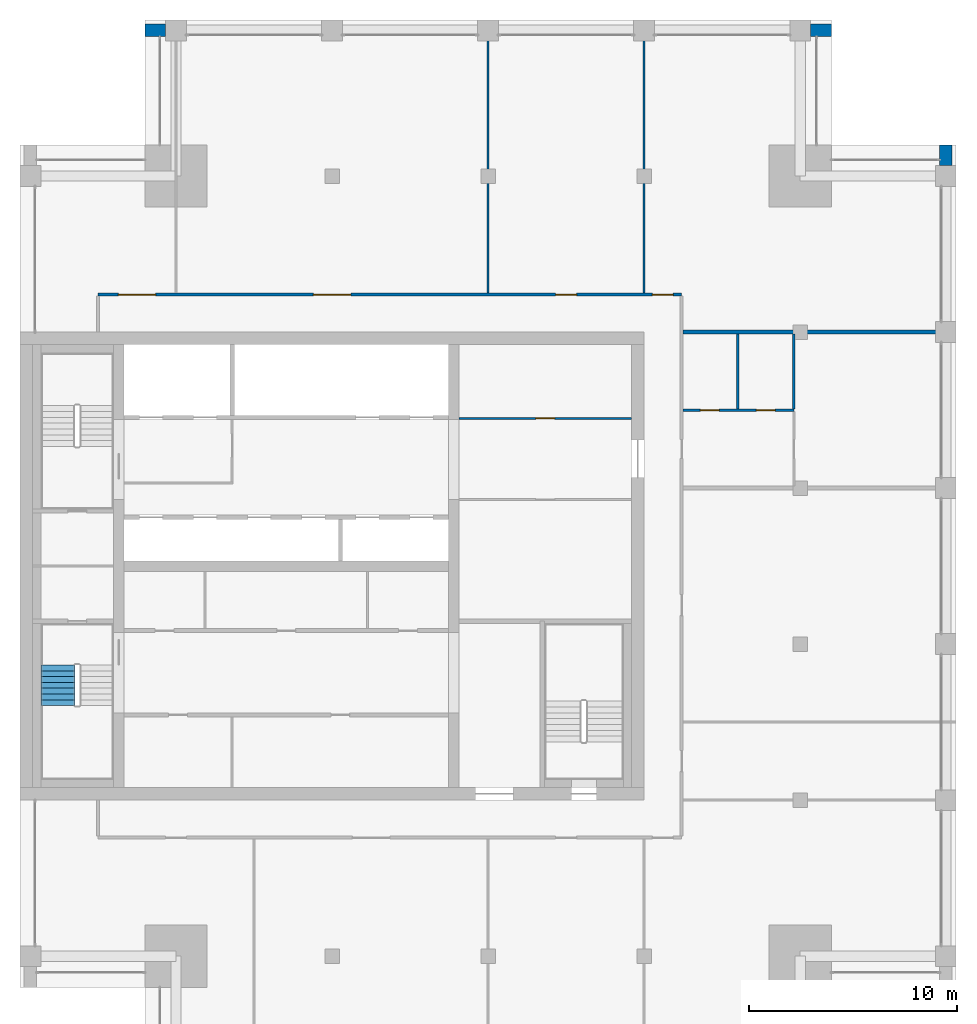
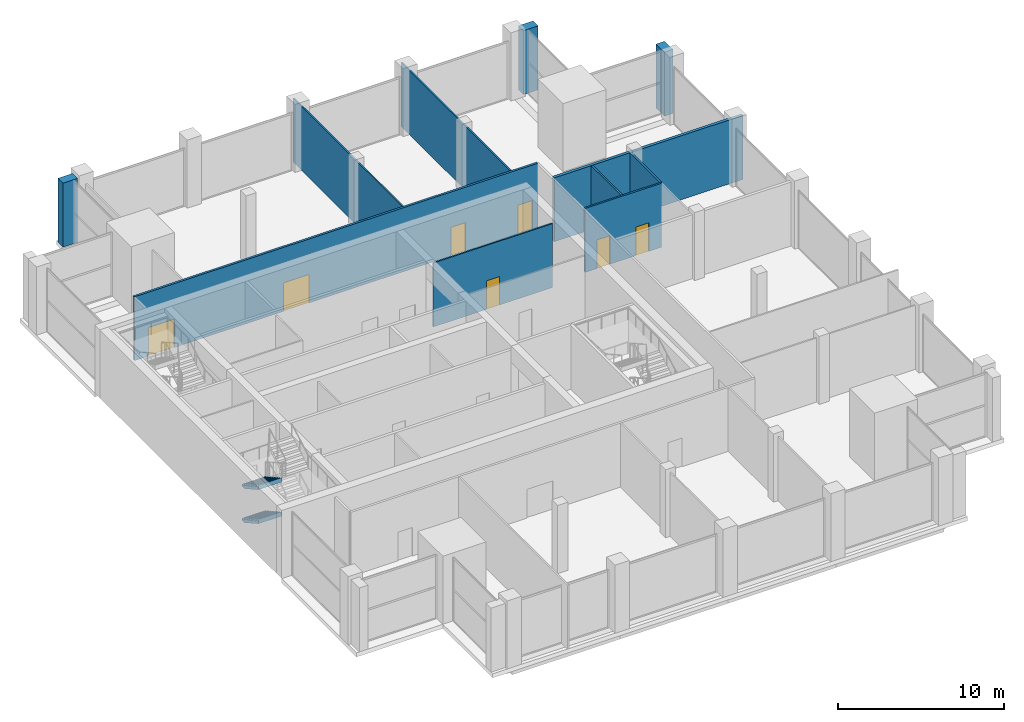
# One storey, part 10 of 15: 11 walls, 7 doors, 2 stair flights, 7 openings, 1 element without a shape of its own.
"""IFC4 building model written with IfcOpenShell, lengths in metres."""

from ifc_helpers import new_model, si_unit, direction, frame, frame_2d, origin, place, context, subcontext, project, spatial, polyline, rectangle, outline, extrude, material, layer, layer_set, type_object, element, fill, aggregate, save


model = new_model("IFC4")

# Units and contexts
model_context = context("Model", 3, precision=1e-05, world=origin(), true_north=direction((0.0, 1.0)))
body_context = subcontext(model_context, "Body", "Model", "MODEL_VIEW")
ifc_project = project(units=[si_unit("LENGTHUNIT", "METRE"), si_unit("AREAUNIT", "SQUARE_METRE"), si_unit("VOLUMEUNIT", "CUBIC_METRE"), si_unit("PLANEANGLEUNIT", "RADIAN"), si_unit("MASSUNIT", "GRAM", prefix="KILO")], contexts=[model_context])

# Site, building, storey
site_placement = place(None, origin())
site = spatial("IfcSite", under=ifc_project, at=site_placement, CompositionType="ELEMENT")
building_placement = place(site_placement, origin())
building = spatial("IfcBuilding", under=site, at=building_placement, Name="Tamorin Gate", CompositionType="ELEMENT")
storey_placement = place(building_placement, frame((0.0, 0.0, 297.699951171875)))
storey = spatial("IfcBuildingStorey", under=building, at=storey_placement, Name="L74", CompositionType="ELEMENT", Elevation=297.699951171875)

# Walls
ifc_material_1 = material(Name="Precast concrete C40/50", Category="concrete")
ifc_layer_1 = layer(ifc_material_1, 0.60009765625)
ifc_layer_set_1 = layer_set([ifc_layer_1], Name="Precast concrete C40/50")
wall_type_1 = type_object("IfcWallType", Name="Board-marked concrete facade panel 600", PredefinedType="SOLIDWALL", material=ifc_layer_set_1)
for number, where, z_axis, x_axis, name in (
    (1, (74.5, 90.5, 0.0), (0.0, 0.0, 1.0), (0.0, 1.0, 0.0), "Facade panel"),
    (2, (69.0, 97.0, 0.0), (0.0, 0.0, 1.0), (-1.0, 0.0, 0.0), "Facade panel"),
    (3, (37.0, 97.0, 0.0), (0.0, 0.0, 1.0), (-1.0, 0.0, 0.0), "Facade panel"),
):
    element("IfcWall", number, at=place(storey_placement, frame(where, z_axis=z_axis, x_axis=x_axis)), inside=storey, type_object=wall_type_1, Name=name, PredefinedType="SOLIDWALL", context=body_context, shape_type="SweptSolid", body=[
        extrude(rectangle(XDim=1.0, YDim=0.60009765625, at=frame_2d((0.5, 0.0))), origin(), (0.0, 0.0, 1.0), 4.699951171875),
    ])

# Wall, openings, doors
ifc_material_2 = material(Name="Gypsum board partition")
ifc_layer_2 = layer(ifc_material_2, 0.14990234375)
ifc_layer_set_2 = layer_set([ifc_layer_2], Name="Corridor wall 150")
wall_type_2 = type_object("IfcWallType", Name="Corridor wall 150", PredefinedType="PARTITIONING", material=ifc_layer_set_2)
wall_1_placement = place(storey_placement, frame((33.75, 84.300048828125, 0.0), z_axis=(0.0, 0.0, 1.0), x_axis=(1.0, 0.0, 0.0)))
wall_1 = element("IfcWall", 4, at=wall_1_placement, inside=storey, type_object=wall_type_2, Name="Corridor wall 150", PredefinedType="PARTITIONING", context=body_context, shape_type="SweptSolid", body=[
    extrude(rectangle(XDim=28.050048828125, YDim=0.14990234375, at=frame_2d((14.02490234375, 0.0))), origin(), (0.0, 0.0, 1.0), 4.699951171875),
])
opening_1_placement = place(wall_1_placement, frame((0.97509765625, 0.0, 0.0)))
opening_1 = element("IfcOpeningElement", 5, at=opening_1_placement, cuts=wall_1, Name="Opening DSK1005", PredefinedType="OPENING", context=body_context, shape_type="SweptSolid", body=[
    extrude(rectangle(XDim=1.800048828125, YDim=2.10009765625, at=frame_2d((0.89990234375, 1.050048828125))), frame((0.0, 0.0849609375, 0.0), z_axis=(0.0, -1.0, 0.0), x_axis=(1.0, 0.0, 0.0)), (0.0, 0.0, 1.0), 0.169921875),
])
opening_2_placement = place(wall_1_placement, frame((10.35009765625, 0.0, 0.0)))
opening_2 = element("IfcOpeningElement", 6, at=opening_2_placement, cuts=wall_1, Name="Opening DSK1006", PredefinedType="OPENING", context=body_context, shape_type="SweptSolid", body=[
    extrude(rectangle(XDim=1.800048828125, YDim=2.10009765625, at=frame_2d((0.89990234375, 1.050048828125))), frame((0.0, 0.0849609375, 0.0), z_axis=(0.0, -1.0, 0.0), x_axis=(1.0, 0.0, 0.0)), (0.0, 0.0, 1.0), 0.169921875),
])
opening_3_placement = place(wall_1_placement, frame((22.0, 0.0, 0.0)))
opening_3 = element("IfcOpeningElement", 7, at=opening_3_placement, cuts=wall_1, Name="Opening DSK1007", PredefinedType="OPENING", context=body_context, shape_type="SweptSolid", body=[
    extrude(rectangle(XDim=1.0, YDim=2.10009765625, at=frame_2d((0.5, 1.050048828125))), frame((0.0, 0.0849609375, 0.0), z_axis=(0.0, -1.0, 0.0), x_axis=(1.0, 0.0, 0.0)), (0.0, 0.0, 1.0), 0.169921875),
])
opening_4_placement = place(wall_1_placement, frame((26.64990234375, 0.0, 0.0)))
opening_4 = element("IfcOpeningElement", 8, at=opening_4_placement, cuts=wall_1, Name="Opening DSK1008", PredefinedType="OPENING", context=body_context, shape_type="SweptSolid", body=[
    extrude(rectangle(XDim=1.0, YDim=2.10009765625, at=frame_2d((0.5, 1.050048828125))), frame((0.0, 0.0849609375, 0.0), z_axis=(0.0, -1.0, 0.0), x_axis=(1.0, 0.0, 0.0)), (0.0, 0.0, 1.0), 0.169921875),
])
ifc_material_3 = material(Name="Timber door leaf", Category="wood")
door_type_1 = type_object("IfcDoorType", Name="Door 1000 x 2100 FD30S", OperationType="NOTDEFINED", PredefinedType="DOOR", material=ifc_material_3)
door_1_placement = place(opening_3_placement, origin())
door_1 = element("IfcDoor", 9, at=door_1_placement, inside=storey, type_object=door_type_1, Name="Door DSK1007", OperationType="SINGLE_SWING_LEFT", OverallHeight=2.10009765625, OverallWidth=1.0, PredefinedType="DOOR", context=body_context, shape_type="SweptSolid", body=[
    extrude(rectangle(XDim=1.0, YDim=2.10009765625, at=frame_2d((0.5, 1.050048828125))), frame((0.0, 0.02490234375, 0.0), z_axis=(0.0, -1.0, 0.0), x_axis=(1.0, 0.0, 0.0)), (0.0, 0.0, 1.0), 0.050048828125),
])
fill(opening_3, door_1)
door_2_placement = place(opening_4_placement, origin())
door_2 = element("IfcDoor", 10, at=door_2_placement, inside=storey, type_object=door_type_1, Name="Door DSK1008", OperationType="SINGLE_SWING_LEFT", OverallHeight=2.10009765625, OverallWidth=1.0, PredefinedType="DOOR", context=body_context, shape_type="SweptSolid", body=[
    extrude(rectangle(XDim=1.0, YDim=2.10009765625, at=frame_2d((0.5, 1.050048828125))), frame((0.0, 0.02490234375, 0.0), z_axis=(0.0, -1.0, 0.0), x_axis=(1.0, 0.0, 0.0)), (0.0, 0.0, 1.0), 0.050048828125),
])
fill(opening_4, door_2)
door_type_2 = type_object("IfcDoorType", Name="Door 1800 x 2100 FD30S", OperationType="DOUBLE_DOOR_SINGLE_SWING", PredefinedType="DOOR", material=ifc_material_3)
door_3_placement = place(opening_1_placement, origin())
door_3 = element("IfcDoor", 11, at=door_3_placement, inside=storey, type_object=door_type_2, Name="Door DSK1005", OperationType="DOUBLE_DOOR_SINGLE_SWING", OverallHeight=2.10009765625, OverallWidth=1.800048828125, PredefinedType="DOOR", context=body_context, shape_type="SweptSolid", body=[
    extrude(rectangle(XDim=1.800048828125, YDim=2.10009765625, at=frame_2d((0.89990234375, 1.050048828125))), frame((0.0, 0.02490234375, 0.0), z_axis=(0.0, -1.0, 0.0), x_axis=(1.0, 0.0, 0.0)), (0.0, 0.0, 1.0), 0.050048828125),
])
fill(opening_1, door_3)
door_4_placement = place(opening_2_placement, origin())
door_4 = element("IfcDoor", 12, at=door_4_placement, inside=storey, type_object=door_type_2, Name="Door DSK1006", OperationType="DOUBLE_DOOR_SINGLE_SWING", OverallHeight=2.10009765625, OverallWidth=1.800048828125, PredefinedType="DOOR", context=body_context, shape_type="SweptSolid", body=[
    extrude(rectangle(XDim=1.800048828125, YDim=2.10009765625, at=frame_2d((0.89990234375, 1.050048828125))), frame((0.0, 0.02490234375, 0.0), z_axis=(0.0, -1.0, 0.0), x_axis=(1.0, 0.0, 0.0)), (0.0, 0.0, 1.0), 0.050048828125),
])
fill(opening_2, door_4)

# Walls
ifc_layer_3 = layer(ifc_material_2, 0.199951171875)
ifc_layer_set_3 = layer_set([ifc_layer_3], Name="Demising wall 200")
wall_type_3 = type_object("IfcWallType", Name="Demising wall 200", PredefinedType="PARTITIONING", material=ifc_layer_set_3)
wall_2_placement = place(storey_placement, frame((61.875, 82.5, 0.0), z_axis=(0.0, 0.0, 1.0), x_axis=(1.0, 0.0, 0.0)))
element("IfcWall", 13, at=wall_2_placement, inside=storey, type_object=wall_type_3, Name="Demising wall 200", PredefinedType="PARTITIONING", context=body_context, shape_type="SweptSolid", body=[
    extrude(rectangle(XDim=13.125, YDim=0.199951171875, at=frame_2d((6.5625, 0.0))), origin(), (0.0, 0.0, 1.0), 4.699951171875),
])
ifc_layer_4 = layer(ifc_material_2, 0.10009765625)
ifc_layer_set_4 = layer_set([ifc_layer_4], Name="Room partition 100")
wall_type_4 = type_object("IfcWallType", Name="Room partition 100", PredefinedType="PARTITIONING", material=ifc_layer_set_4)
for number, where, z_axis, x_axis, name in (
    (14, (52.5, 84.375, 0.0), (0.0, 0.0, 1.0), (0.0, 1.0, 0.0), "Room partition 100"),
    (15, (60.0, 84.375, 0.0), (0.0, 0.0, 1.0), (0.0, 1.0, 0.0), "Room partition 100"),
):
    element("IfcWall", number, at=place(storey_placement, frame(where, z_axis=z_axis, x_axis=x_axis)), inside=storey, type_object=wall_type_4, Name=name, PredefinedType="PARTITIONING", context=body_context, shape_type="SweptSolid", body=[
        extrude(rectangle(XDim=13.125, YDim=0.10009765625, at=frame_2d((6.5625, 0.0))), origin(), (0.0, 0.0, 1.0), 4.699951171875),
    ])

# Wall, opening, door
ifc_layer_5 = layer(ifc_material_2, 0.10009765625)
ifc_layer_set_5 = layer_set([ifc_layer_5], Name="Service room partition 100 EI 60")
wall_type_5 = type_object("IfcWallType", Name="Service room partition 100 EI 60", PredefinedType="PARTITIONING", material=ifc_layer_set_5)
wall_3_placement = place(storey_placement, frame((51.10009765625, 78.35009765625, 0.0), z_axis=(0.0, 0.0, 1.0), x_axis=(1.0, 0.0, 0.0)))
wall_3 = element("IfcWall", 16, at=wall_3_placement, inside=storey, type_object=wall_type_5, Name="Service room wall", PredefinedType="PARTITIONING", context=body_context, shape_type="SweptSolid", body=[
    extrude(rectangle(XDim=8.2998046875, YDim=0.10009765625, at=frame_2d((4.14990234375, 0.0))), origin(), (0.0, 0.0, 1.0), 4.699951171875),
])
opening_5_placement = place(wall_3_placement, frame((3.699951171875, 0.0, 0.0)))
opening_5 = element("IfcOpeningElement", 17, at=opening_5_placement, cuts=wall_3, Name="Opening DK1", PredefinedType="OPENING", context=body_context, shape_type="SweptSolid", body=[
    extrude(rectangle(XDim=0.89990234375, YDim=2.10009765625, at=frame_2d((0.449951171875, 1.050048828125))), frame((0.0, 0.06005859375, 0.0), z_axis=(0.0, -1.0, 0.0), x_axis=(1.0, 0.0, 0.0)), (0.0, 0.0, 1.0), 0.1201171875),
])
ifc_material_4 = material(Name="Timber fire door", Category="wood")
door_type_3 = type_object("IfcDoorType", Name="Service room door 900 x 2100 EI 60", OperationType="SINGLE_SWING_LEFT", PredefinedType="DOOR", material=ifc_material_4)
door_5_placement = place(opening_5_placement, origin())
door_5 = element("IfcDoor", 18, at=door_5_placement, inside=storey, type_object=door_type_3, Name="Door Store", OperationType="SINGLE_SWING_RIGHT", OverallHeight=2.10009765625, OverallWidth=0.89990234375, PredefinedType="DOOR", context=body_context, shape_type="SweptSolid", body=[
    extrude(rectangle(XDim=0.89990234375, YDim=2.10009765625, at=frame_2d((0.449951171875, 1.050048828125))), frame((0.0, 0.02490234375, 0.0), z_axis=(0.0, -1.0, 0.0), x_axis=(1.0, 0.0, 0.0)), (0.0, 0.0, 1.0), 0.050048828125),
])
fill(opening_5, door_5)

# Wall, openings, doors
ifc_layer_6 = layer(ifc_material_2, 0.125)
ifc_layer_set_6 = layer_set([ifc_layer_6], Name="Wet wall 125")
wall_type_6 = type_object("IfcWallType", Name="Wet wall 125", PredefinedType="PARTITIONING", material=ifc_layer_set_6)
wall_4_placement = place(storey_placement, frame((61.875, 78.75, 0.0), z_axis=(0.0, 0.0, 1.0), x_axis=(1.0, 0.0, 0.0)))
wall_4 = element("IfcWall", 19, at=wall_4_placement, inside=storey, type_object=wall_type_6, Name="Wet wall 125", PredefinedType="PARTITIONING", context=body_context, shape_type="SweptSolid", body=[
    extrude(rectangle(XDim=5.324951171875, YDim=0.125, at=frame_2d((2.66259765625, 0.0))), origin(), (0.0, 0.0, 1.0), 4.699951171875),
])
opening_6_placement = place(wall_4_placement, frame((3.52490234375, 0.0, 0.0)))
opening_6 = element("IfcOpeningElement", 20, at=opening_6_placement, cuts=wall_4, Name="Opening DSK1013", PredefinedType="OPENING", context=body_context, shape_type="SweptSolid", body=[
    extrude(rectangle(XDim=0.89990234375, YDim=2.10009765625, at=frame_2d((0.449951171875, 1.050048828125))), frame((0.0, 0.072509765625, 0.0), z_axis=(0.0, -1.0, 0.0), x_axis=(1.0, 0.0, 0.0)), (0.0, 0.0, 1.0), 0.14501953125),
])
opening_7_placement = place(wall_4_placement, frame((0.824951171875, 0.0, 0.0)))
opening_7 = element("IfcOpeningElement", 21, at=opening_7_placement, cuts=wall_4, Name="Opening DSK1014", PredefinedType="OPENING", context=body_context, shape_type="SweptSolid", body=[
    extrude(rectangle(XDim=0.89990234375, YDim=2.10009765625, at=frame_2d((0.449951171875, 1.050048828125))), frame((0.0, 0.072509765625, 0.0), z_axis=(0.0, -1.0, 0.0), x_axis=(1.0, 0.0, 0.0)), (0.0, 0.0, 1.0), 0.14501953125),
])
door_type_4 = type_object("IfcDoorType", Name="Door 900 x 2100", OperationType="NOTDEFINED", PredefinedType="DOOR", material=ifc_material_3)
door_6_placement = place(opening_6_placement, origin())
door_6 = element("IfcDoor", 22, at=door_6_placement, inside=storey, type_object=door_type_4, Name="Door DSK1013", OperationType="SINGLE_SWING_LEFT", OverallHeight=2.10009765625, OverallWidth=0.89990234375, PredefinedType="DOOR", context=body_context, shape_type="SweptSolid", body=[
    extrude(rectangle(XDim=0.89990234375, YDim=2.10009765625, at=frame_2d((0.449951171875, 1.050048828125))), frame((0.0, 0.02490234375, 0.0), z_axis=(0.0, -1.0, 0.0), x_axis=(1.0, 0.0, 0.0)), (0.0, 0.0, 1.0), 0.050048828125),
])
fill(opening_6, door_6)
door_7_placement = place(opening_7_placement, origin())
door_7 = element("IfcDoor", 23, at=door_7_placement, inside=storey, type_object=door_type_4, Name="Door DSK1014", OperationType="SINGLE_SWING_LEFT", OverallHeight=2.10009765625, OverallWidth=0.89990234375, PredefinedType="DOOR", context=body_context, shape_type="SweptSolid", body=[
    extrude(rectangle(XDim=0.89990234375, YDim=2.10009765625, at=frame_2d((0.449951171875, 1.050048828125))), frame((0.0, 0.02490234375, 0.0), z_axis=(0.0, -1.0, 0.0), x_axis=(1.0, 0.0, 0.0)), (0.0, 0.0, 1.0), 0.050048828125),
])
fill(opening_7, door_7)

# Walls
for number, where, z_axis, x_axis, name in (
    (24, (64.5, 78.8125, 0.0), (0.0, 0.0, 1.0), (0.0, 1.0, 0.0), "Wet wall 125"),
    (25, (67.199951171875, 78.8125, 0.0), (0.0, 0.0, 1.0), (0.0, 1.0, 0.0), "Wet wall 125"),
):
    element("IfcWall", number, at=place(storey_placement, frame(where, z_axis=z_axis, x_axis=x_axis)), inside=storey, type_object=wall_type_6, Name=name, PredefinedType="PARTITIONING", context=body_context, shape_type="SweptSolid", body=[
        extrude(rectangle(XDim=3.58740234375, YDim=0.125, at=frame_2d((1.793701171875, 0.0))), origin(), (0.0, 0.0, 1.0), 4.699951171875),
    ])

# Stair, stair flights
ifc_material_5 = material(Name="Concrete C40/50", Category="concrete")
stair_type = type_object("IfcStairType", Name="Exit stair", PredefinedType="HALF_TURN_STAIR", material=ifc_material_5)
stair_placement = place(storey_placement, origin())
stair = element("IfcStair", 26, at=stair_placement, inside=storey, type_object=stair_type, Name="L74 stair ST1", PredefinedType="HALF_TURN_STAIR")
stair_flight_type = type_object("IfcStairFlightType", Name="Exit stair flight", PredefinedType="STRAIGHT", material=ifc_material_5)
stair_flight_1_placement = place(storey_placement, frame((31.824951171875, 66.5, 0.0), z_axis=(0.0, 0.0, 1.0), x_axis=(0.0, -1.0, 0.0)))
stair_flight_1 = element("IfcStairFlight", 27, at=stair_flight_1_placement, type_object=stair_flight_type, Name="ST1 flight 1", NumberOfRisers=8, NumberOfTreads=7, PredefinedType="STRAIGHT", RiserHeight=0.15625, TreadLength=0.28, context=body_context, shape_type="SweptSolid", body=[
    extrude(outline(polyline([(-0.00048828125, 0.0), (-0.00048828125, 0.00146484375), (-0.00048828125, 0.003173828125), (-0.00048828125, 0.004638671875), (-0.00048828125, 0.006103515625), (-0.00048828125, 0.0078125), (-0.00048828125, 0.00927734375), (-0.00048828125, 0.0107421875), (-0.00048828125, 0.012451171875), (-0.00048828125, 0.013916015625), (-0.00048828125, 0.015380859375), (-0.00048828125, 0.01708984375), (-0.00048828125, 0.0185546875), (-0.00048828125, 0.02001953125), (-0.00048828125, 0.021728515625), (-0.00048828125, 0.023193359375), (-0.00048828125, 0.024658203125), (-0.00048828125, 0.0263671875), (-0.00048828125, 0.02783203125), (-0.00048828125, 0.029296875), (-0.00048828125, 0.031005859375), (-0.00048828125, 0.032470703125), (-0.00048828125, 0.033935546875), (-0.00048828125, 0.03564453125), (-0.00048828125, 0.037109375), (-0.00048828125, 0.03857421875), (-0.00048828125, 0.040283203125), (-0.00048828125, 0.041748046875), (-0.00048828125, 0.043212890625), (-0.00048828125, 0.044921875), (-0.00048828125, 0.04638671875), (-0.00048828125, 0.0478515625), (-0.00048828125, 0.049560546875), (-0.00048828125, 0.051025390625), (-0.00048828125, 0.052490234375), (-0.00048828125, 0.05419921875), (-0.00048828125, 0.0556640625), (-0.00048828125, 0.05712890625), (-0.00048828125, 0.058837890625), (-0.00048828125, 0.060302734375), (-0.00048828125, 0.061767578125), (-0.00048828125, 0.0634765625), (-0.00048828125, 0.06494140625), (-0.00048828125, 0.06640625), (-0.00048828125, 0.068115234375), (-0.00048828125, 0.069580078125), (-0.00048828125, 0.071044921875), (-0.00048828125, 0.07275390625), (-0.00048828125, 0.07421875), (-0.00048828125, 0.07568359375), (-0.00048828125, 0.077392578125), (-0.00048828125, 0.078857421875), (-0.00048828125, 0.08056640625), (-0.00048828125, 0.08203125), (-0.00048828125, 0.08349609375), (-0.00048828125, 0.085205078125), (-0.00048828125, 0.086669921875), (-0.00048828125, 0.088134765625), (-0.00048828125, 0.08984375), (-0.00048828125, 0.09130859375), (-0.00048828125, 0.0927734375), (-0.00048828125, 0.094482421875), (-0.00048828125, 0.095947265625), (-0.00048828125, 0.097412109375), (-0.00048828125, 0.09912109375), (-0.00048828125, 0.1005859375), (-0.00048828125, 0.10205078125), (-0.00048828125, 0.103759765625), (-0.00048828125, 0.105224609375), (-0.00048828125, 0.106689453125), (-0.00048828125, 0.1083984375), (-0.00048828125, 0.10986328125), (-0.00048828125, 0.111328125), (-0.00048828125, 0.113037109375), (-0.00048828125, 0.114501953125), (-0.00048828125, 0.115966796875), (-0.00048828125, 0.11767578125), (-0.00048828125, 0.119140625), (-0.00048828125, 0.12060546875), (-0.00048828125, 0.122314453125), (-0.00048828125, 0.123779296875), (-0.00048828125, 0.125244140625), (-0.00048828125, 0.126953125), (-0.00048828125, 0.12841796875), (-0.00048828125, 0.1298828125), (-0.00048828125, 0.131591796875), (-0.00048828125, 0.133056640625), (-0.00048828125, 0.134521484375), (-0.00048828125, 0.13623046875), (-0.00048828125, 0.1376953125), (-0.00048828125, 0.13916015625), (-0.00048828125, 0.140869140625), (-0.00048828125, 0.142333984375), (-0.00048828125, 0.143798828125), (-0.00048828125, 0.1455078125), (-0.00048828125, 0.14697265625), (-0.00048828125, 0.1484375), (-0.00048828125, 0.150146484375), (-0.00048828125, 0.151611328125), (-0.00048828125, 0.153076171875), (-0.00048828125, 0.15478515625), (-0.00048828125, 0.15625), (0.280029296875, 0.15625), (0.280029296875, 0.3125), (0.56005859375, 0.3125), (0.56005859375, 0.46875), (0.840087890625, 0.46875), (0.840087890625, 0.625), (1.1201171875, 0.625), (1.1201171875, 0.78125), (1.39990234375, 0.78125), (1.39990234375, 0.9375), (1.679931640625, 0.9375), (1.679931640625, 1.09375), (1.9599609375, 1.09375), (1.9599609375, 1.25), (1.96044921875, 1.25), (1.96044921875, 1.246826171875), (1.96044921875, 1.243408203125), (1.96044921875, 1.240234375), (1.96044921875, 1.237060546875), (1.96044921875, 1.23388671875), (1.96044921875, 1.23046875), (1.96044921875, 1.227294921875), (1.96044921875, 1.22412109375), (1.96044921875, 1.220703125), (1.96044921875, 1.217529296875), (1.96044921875, 1.21435546875), (1.96044921875, 1.2109375), (1.96044921875, 1.207763671875), (1.96044921875, 1.20458984375), (1.96044921875, 1.201416015625), (1.96044921875, 1.197998046875), (1.96044921875, 1.19482421875), (1.96044921875, 1.191650390625), (1.96044921875, 1.188232421875), (1.96044921875, 1.18505859375), (1.96044921875, 1.181884765625), (1.96044921875, 1.178466796875), (1.96044921875, 1.17529296875), (1.96044921875, 1.172119140625), (1.96044921875, 1.1689453125), (1.96044921875, 1.16552734375), (1.96044921875, 1.162353515625), (1.96044921875, 1.1591796875), (1.96044921875, 1.15576171875), (1.96044921875, 1.152587890625), (1.96044921875, 1.1494140625), (1.96044921875, 1.14599609375), (1.96044921875, 1.142822265625), (1.96044921875, 1.1396484375), (1.96044921875, 1.136474609375), (1.96044921875, 1.133056640625), (1.96044921875, 1.1298828125), (1.96044921875, 1.126708984375), (1.96044921875, 1.123291015625), (1.96044921875, 1.1201171875), (1.96044921875, 1.116943359375), (1.96044921875, 1.113525390625), (1.96044921875, 1.1103515625), (1.96044921875, 1.107177734375), (1.96044921875, 1.10400390625), (1.96044921875, 1.1005859375), (1.96044921875, 1.097412109375), (1.96044921875, 1.09423828125), (1.96044921875, 1.0908203125), (1.96044921875, 1.087646484375), (1.96044921875, 1.08447265625), (1.96044921875, 1.0810546875), (1.96044921875, 1.077880859375), (1.96044921875, 1.07470703125), (1.96044921875, 1.071533203125), (1.96044921875, 1.068115234375), (1.96044921875, 1.06494140625), (1.96044921875, 1.061767578125), (1.96044921875, 1.058349609375), (1.96044921875, 1.05517578125), (1.96044921875, 1.052001953125), (1.96044921875, 1.048828125), (1.96044921875, 1.04541015625), (1.96044921875, 1.042236328125), (1.96044921875, 1.0390625), (1.96044921875, 1.03564453125), (1.96044921875, 1.032470703125), (1.96044921875, 1.029296875), (1.96044921875, 1.02587890625), (1.96044921875, 1.022705078125), (1.96044921875, 1.01953125), (1.96044921875, 1.016357421875), (1.96044921875, 1.012939453125), (1.96044921875, 1.009765625), (1.96044921875, 1.006591796875), (1.96044921875, 1.003173828125), (1.96044921875, 1.0), (1.96044921875, 0.996826171875), (1.96044921875, 0.993408203125), (1.96044921875, 0.990234375), (1.96044921875, 0.987060546875), (1.96044921875, 0.98388671875), (1.96044921875, 0.98046875), (1.96044921875, 0.977294921875), (1.96044921875, 0.97412109375), (1.96044921875, 0.970703125), (1.96044921875, 0.967529296875), (1.96044921875, 0.96435546875), (1.96044921875, 0.9609375), (1.96044921875, 0.957763671875), (1.96044921875, 0.95458984375), (1.96044921875, 0.951416015625), (1.96044921875, 0.947998046875), (1.96044921875, 0.94482421875), (1.96044921875, 0.941650390625), (1.96044921875, 0.938232421875), (1.96044921875, 0.93505859375), (1.96044921875, 0.931884765625), (1.96044921875, 0.928466796875), (1.96044921875, 0.92529296875), (1.96044921875, 0.922119140625), (1.9599609375, 0.922119140625), (0.3076171875, 0.0), (-0.00048828125, 0.0)])), frame((0.0, 0.824951171875, 0.0), z_axis=(0.0, -1.0, 0.0), x_axis=(1.0, 0.0, 0.0)), (0.0, 0.0, 1.0), 1.64990234375),
])
stair_flight_2_placement = place(storey_placement, frame((31.824951171875, 66.5, 2.5), z_axis=(0.0, 0.0, 1.0), x_axis=(0.0, -1.0, 0.0)))
stair_flight_2 = element("IfcStairFlight", 28, at=stair_flight_2_placement, type_object=stair_flight_type, Name="ST1 flight 3", NumberOfRisers=8, NumberOfTreads=7, PredefinedType="STRAIGHT", RiserHeight=0.15625, TreadLength=0.28, context=body_context, shape_type="SweptSolid", body=[
    extrude(outline(polyline([(-0.00048828125, 0.0), (-0.00048828125, 0.00146484375), (-0.00048828125, 0.003173828125), (-0.00048828125, 0.004638671875), (-0.00048828125, 0.006103515625), (-0.00048828125, 0.0078125), (-0.00048828125, 0.00927734375), (-0.00048828125, 0.0107421875), (-0.00048828125, 0.012451171875), (-0.00048828125, 0.013916015625), (-0.00048828125, 0.015380859375), (-0.00048828125, 0.01708984375), (-0.00048828125, 0.0185546875), (-0.00048828125, 0.02001953125), (-0.00048828125, 0.021728515625), (-0.00048828125, 0.023193359375), (-0.00048828125, 0.024658203125), (-0.00048828125, 0.0263671875), (-0.00048828125, 0.02783203125), (-0.00048828125, 0.029296875), (-0.00048828125, 0.031005859375), (-0.00048828125, 0.032470703125), (-0.00048828125, 0.033935546875), (-0.00048828125, 0.03564453125), (-0.00048828125, 0.037109375), (-0.00048828125, 0.03857421875), (-0.00048828125, 0.040283203125), (-0.00048828125, 0.041748046875), (-0.00048828125, 0.043212890625), (-0.00048828125, 0.044921875), (-0.00048828125, 0.04638671875), (-0.00048828125, 0.0478515625), (-0.00048828125, 0.049560546875), (-0.00048828125, 0.051025390625), (-0.00048828125, 0.052490234375), (-0.00048828125, 0.05419921875), (-0.00048828125, 0.0556640625), (-0.00048828125, 0.05712890625), (-0.00048828125, 0.058837890625), (-0.00048828125, 0.060302734375), (-0.00048828125, 0.061767578125), (-0.00048828125, 0.0634765625), (-0.00048828125, 0.06494140625), (-0.00048828125, 0.06640625), (-0.00048828125, 0.068115234375), (-0.00048828125, 0.069580078125), (-0.00048828125, 0.071044921875), (-0.00048828125, 0.07275390625), (-0.00048828125, 0.07421875), (-0.00048828125, 0.07568359375), (-0.00048828125, 0.077392578125), (-0.00048828125, 0.078857421875), (-0.00048828125, 0.08056640625), (-0.00048828125, 0.08203125), (-0.00048828125, 0.08349609375), (-0.00048828125, 0.085205078125), (-0.00048828125, 0.086669921875), (-0.00048828125, 0.088134765625), (-0.00048828125, 0.08984375), (-0.00048828125, 0.09130859375), (-0.00048828125, 0.0927734375), (-0.00048828125, 0.094482421875), (-0.00048828125, 0.095947265625), (-0.00048828125, 0.097412109375), (-0.00048828125, 0.09912109375), (-0.00048828125, 0.1005859375), (-0.00048828125, 0.10205078125), (-0.00048828125, 0.103759765625), (-0.00048828125, 0.105224609375), (-0.00048828125, 0.106689453125), (-0.00048828125, 0.1083984375), (-0.00048828125, 0.10986328125), (-0.00048828125, 0.111328125), (-0.00048828125, 0.113037109375), (-0.00048828125, 0.114501953125), (-0.00048828125, 0.115966796875), (-0.00048828125, 0.11767578125), (-0.00048828125, 0.119140625), (-0.00048828125, 0.12060546875), (-0.00048828125, 0.122314453125), (-0.00048828125, 0.123779296875), (-0.00048828125, 0.125244140625), (-0.00048828125, 0.126953125), (-0.00048828125, 0.12841796875), (-0.00048828125, 0.1298828125), (-0.00048828125, 0.131591796875), (-0.00048828125, 0.133056640625), (-0.00048828125, 0.134521484375), (-0.00048828125, 0.13623046875), (-0.00048828125, 0.1376953125), (-0.00048828125, 0.13916015625), (-0.00048828125, 0.140869140625), (-0.00048828125, 0.142333984375), (-0.00048828125, 0.143798828125), (-0.00048828125, 0.1455078125), (-0.00048828125, 0.14697265625), (-0.00048828125, 0.1484375), (-0.00048828125, 0.150146484375), (-0.00048828125, 0.151611328125), (-0.00048828125, 0.153076171875), (-0.00048828125, 0.15478515625), (-0.00048828125, 0.15625), (0.280029296875, 0.15625), (0.280029296875, 0.3125), (0.56005859375, 0.3125), (0.56005859375, 0.46875), (0.840087890625, 0.46875), (0.840087890625, 0.625), (1.1201171875, 0.625), (1.1201171875, 0.78125), (1.39990234375, 0.78125), (1.39990234375, 0.9375), (1.679931640625, 0.9375), (1.679931640625, 1.09375), (1.9599609375, 1.09375), (1.9599609375, 1.25), (1.96044921875, 1.25), (1.96044921875, 1.246826171875), (1.96044921875, 1.243408203125), (1.96044921875, 1.240234375), (1.96044921875, 1.237060546875), (1.96044921875, 1.23388671875), (1.96044921875, 1.23046875), (1.96044921875, 1.227294921875), (1.96044921875, 1.22412109375), (1.96044921875, 1.220703125), (1.96044921875, 1.217529296875), (1.96044921875, 1.21435546875), (1.96044921875, 1.2109375), (1.96044921875, 1.207763671875), (1.96044921875, 1.20458984375), (1.96044921875, 1.201416015625), (1.96044921875, 1.197998046875), (1.96044921875, 1.19482421875), (1.96044921875, 1.191650390625), (1.96044921875, 1.188232421875), (1.96044921875, 1.18505859375), (1.96044921875, 1.181884765625), (1.96044921875, 1.178466796875), (1.96044921875, 1.17529296875), (1.96044921875, 1.172119140625), (1.96044921875, 1.1689453125), (1.96044921875, 1.16552734375), (1.96044921875, 1.162353515625), (1.96044921875, 1.1591796875), (1.96044921875, 1.15576171875), (1.96044921875, 1.152587890625), (1.96044921875, 1.1494140625), (1.96044921875, 1.14599609375), (1.96044921875, 1.142822265625), (1.96044921875, 1.1396484375), (1.96044921875, 1.136474609375), (1.96044921875, 1.133056640625), (1.96044921875, 1.1298828125), (1.96044921875, 1.126708984375), (1.96044921875, 1.123291015625), (1.96044921875, 1.1201171875), (1.96044921875, 1.116943359375), (1.96044921875, 1.113525390625), (1.96044921875, 1.1103515625), (1.96044921875, 1.107177734375), (1.96044921875, 1.10400390625), (1.96044921875, 1.1005859375), (1.96044921875, 1.097412109375), (1.96044921875, 1.09423828125), (1.96044921875, 1.0908203125), (1.96044921875, 1.087646484375), (1.96044921875, 1.08447265625), (1.96044921875, 1.0810546875), (1.96044921875, 1.077880859375), (1.96044921875, 1.07470703125), (1.96044921875, 1.071533203125), (1.96044921875, 1.068115234375), (1.96044921875, 1.06494140625), (1.96044921875, 1.061767578125), (1.96044921875, 1.058349609375), (1.96044921875, 1.05517578125), (1.96044921875, 1.052001953125), (1.96044921875, 1.048828125), (1.96044921875, 1.04541015625), (1.96044921875, 1.042236328125), (1.96044921875, 1.0390625), (1.96044921875, 1.03564453125), (1.96044921875, 1.032470703125), (1.96044921875, 1.029296875), (1.96044921875, 1.02587890625), (1.96044921875, 1.022705078125), (1.96044921875, 1.01953125), (1.96044921875, 1.016357421875), (1.96044921875, 1.012939453125), (1.96044921875, 1.009765625), (1.96044921875, 1.006591796875), (1.96044921875, 1.003173828125), (1.96044921875, 1.0), (1.96044921875, 0.996826171875), (1.96044921875, 0.993408203125), (1.96044921875, 0.990234375), (1.96044921875, 0.987060546875), (1.96044921875, 0.98388671875), (1.96044921875, 0.98046875), (1.96044921875, 0.977294921875), (1.96044921875, 0.97412109375), (1.96044921875, 0.970703125), (1.96044921875, 0.967529296875), (1.96044921875, 0.96435546875), (1.96044921875, 0.9609375), (1.96044921875, 0.957763671875), (1.96044921875, 0.95458984375), (1.96044921875, 0.951416015625), (1.96044921875, 0.947998046875), (1.96044921875, 0.94482421875), (1.96044921875, 0.941650390625), (1.96044921875, 0.938232421875), (1.96044921875, 0.93505859375), (1.96044921875, 0.931884765625), (1.96044921875, 0.928466796875), (1.96044921875, 0.92529296875), (1.96044921875, 0.922119140625), (1.9599609375, 0.922119140625), (0.3076171875, 0.0), (-0.00048828125, 0.0)])), frame((0.0, 0.824951171875, 0.0), z_axis=(0.0, -1.0, 0.0), x_axis=(1.0, 0.0, 0.0)), (0.0, 0.0, 1.0), 1.64990234375),
])
aggregate(stair, [stair_flight_1, stair_flight_2])

save(model, "model.ifc")
